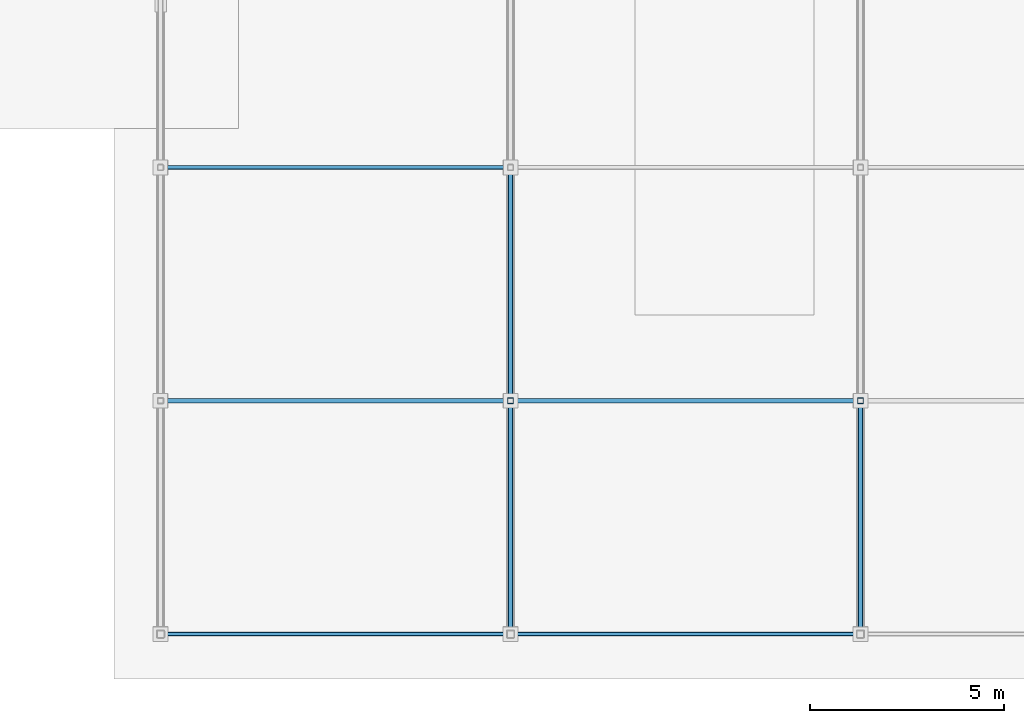
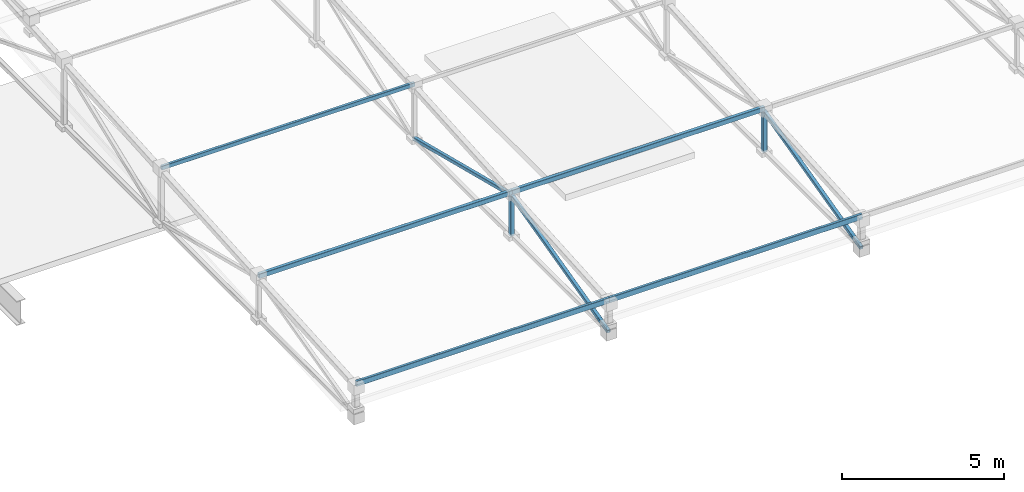
# One storey, part 17 of 85: 10 members.
"""IFC4 building model written with IfcOpenShell, lengths in metres."""

import ifcopenshell
import ifcopenshell.guid

model = None  # the IFC model being written
_history = None  # IfcOwnerHistory: only IFC2X3 demands one
_inside = {}  # id of a spatial element -> (the spatial element, [elements in it])
_under = {}  # id of a project, library or spatial element -> (it, [spatial elements below it])
_declared = {}  # id of a project -> (the project, [libraries it declares])
_typed = {}  # id of a type object -> (the type object, [elements of that type])
_made_of = {}  # id of a material, layer set ... -> (it, [elements and type objects made of it])


def new_model(schema):
    """Start an empty IFC model of exactly this schema.

    Asked for "IFC4X3", IfcOpenShell would pick the latest addendum, in which some entities
    have other attributes; the version numbers below select the first issue.
    IFC2X3 requires an IfcOwnerHistory on every rooted entity: one is made here for all.
    """
    global model, _history
    if schema == "IFC4X3":
        model = ifcopenshell.file(schema_version=(4, 3, 0, 0))
    else:
        model = ifcopenshell.file(schema=schema)
    _inside.clear()
    _under.clear()
    _declared.clear()
    _typed.clear()
    _made_of.clear()
    _history = None
    if model.schema == "IFC2X3":
        org = make("IfcOrganization", Name="unknown")
        user = make(
            "IfcPersonAndOrganization",
            ThePerson=make("IfcPerson", FamilyName="unknown"),
            TheOrganization=org,
        )
        app = make(
            "IfcApplication",
            ApplicationDeveloper=org,
            Version="unknown",
            ApplicationFullName="unknown",
            ApplicationIdentifier="unknown",
        )
        _history = make(
            "IfcOwnerHistory",
            OwningUser=user,
            OwningApplication=app,
            ChangeAction="ADDED",
            CreationDate=0,
        )
    return model


def make(cls, **values):
    """One entity of the class cls with the attributes given. An attribute that is None is left unset."""
    return model.create_entity(
        cls, **{name: value for name, value in values.items() if value is not None}
    )


def rooted(cls, **values):
    """An entity with a GlobalId (a new one), such as an element, a storey or a relation."""
    return make(cls, GlobalId=ifcopenshell.guid.new(), OwnerHistory=_history, **values)


def si_unit(unit_type, name, prefix=None):
    """IfcSIUnit, for example si_unit("LENGTHUNIT", "METRE", prefix="MILLI")."""
    return make("IfcSIUnit", UnitType=unit_type, Prefix=prefix, Name=name)


def assignment(units):
    """IfcUnitAssignment: the units of a project."""
    return None if units is None else make("IfcUnitAssignment", Units=units)


def point(xyz):
    """IfcCartesianPoint."""
    return None if xyz is None else make("IfcCartesianPoint", Coordinates=xyz)


def direction(xyz):
    """IfcDirection."""
    return None if xyz is None else make("IfcDirection", DirectionRatios=xyz)


def frame(location, z_axis=None, x_axis=None):
    """IfcAxis2Placement3D, a coordinate frame: its origin and axes. An axis left out is left unset."""
    return make(
        "IfcAxis2Placement3D",
        Location=point(location),
        Axis=direction(z_axis),
        RefDirection=direction(x_axis),
    )


def frame_2d(location, x_axis=None):
    """IfcAxis2Placement2D, a coordinate frame in the plane: its origin and x axis."""
    return make(
        "IfcAxis2Placement2D", Location=point(location), RefDirection=direction(x_axis)
    )


def origin():
    """The frame at (0, 0, 0) with its axes left unset."""
    return frame((0.0, 0.0, 0.0))


def origin_2d():
    """The frame at (0, 0) in the plane with its x axis left unset."""
    return frame_2d((0.0, 0.0))


def place(relative_to, where):
    """IfcLocalPlacement: puts the frame where relative to a parent placement (None: the world)."""
    return make(
        "IfcLocalPlacement", PlacementRelTo=relative_to, RelativePlacement=where
    )


def context(
    kind, dimensions, precision=None, world=None, true_north=None, identifier=None
):
    """IfcGeometricRepresentationContext, for example the 3D "Model" context."""
    return make(
        "IfcGeometricRepresentationContext",
        ContextIdentifier=identifier,
        ContextType=kind,
        CoordinateSpaceDimension=dimensions,
        Precision=precision,
        WorldCoordinateSystem=world,
        TrueNorth=true_north,
    )


def subcontext(parent, identifier, kind, view, scale=None):
    """IfcGeometricRepresentationSubContext, for example "Body" below "Model"."""
    return make(
        "IfcGeometricRepresentationSubContext",
        ContextIdentifier=identifier,
        ContextType=kind,
        ParentContext=parent,
        TargetScale=scale,
        TargetView=view,
    )


def project(units=None, contexts=None):
    """IfcProject with its units and contexts."""
    return rooted(
        "IfcProject",
        Name="project",
        RepresentationContexts=contexts,
        UnitsInContext=assignment(units),
    )


def spatial(cls, under=None, at=None, **own):
    """A site, building, storey or space (cls), placed at a placement, below another one or the project."""
    s = rooted(cls, ObjectPlacement=at, **own)
    if under is not None:
        _under.setdefault(under.id(), (under, []))[1].append(s)
    return s


def profile(cls, at=None, kind="AREA", **sizes):
    """A parametric profile (cls). Its sizes go by their IFC names, for example OverallWidth=200.0."""
    return make(cls, ProfileType=kind, Position=at, **sizes)


def hollow_rectangle(**sizes):
    """IfcRectangleHollowProfileDef."""
    return profile("IfcRectangleHollowProfileDef", **sizes)


def extrude(swept, where, along, depth):
    """IfcExtrudedAreaSolid: the profile swept, set in the frame where, extruded along a direction by depth."""
    return make(
        "IfcExtrudedAreaSolid",
        SweptArea=swept,
        Position=where,
        ExtrudedDirection=direction(along),
        Depth=depth,
    )


def shape(context_of_items, identifier, shape_type, items):
    """IfcShapeRepresentation: the items that make up one representation, for example the "Body"."""
    return make(
        "IfcShapeRepresentation",
        ContextOfItems=context_of_items,
        RepresentationIdentifier=identifier,
        RepresentationType=shape_type,
        Items=items,
    )


def material(Name=None, Category=None):
    """IfcMaterial."""
    return make("IfcMaterial", Name=Name, Category=Category)


def material_profile(
    of_material, cross_section, Name=None, Category=None, Priority=None
):
    """IfcMaterialProfile: a cross section and its material."""
    return make(
        "IfcMaterialProfile",
        Name=Name,
        Material=of_material,
        Profile=cross_section,
        Priority=Priority,
        Category=Category,
    )


def profile_set(profiles, Name=None, composite=None):
    """IfcMaterialProfileSet."""
    return make(
        "IfcMaterialProfileSet",
        Name=Name,
        MaterialProfiles=profiles,
        CompositeProfile=composite,
    )


def made_of(thing, what):
    """Note that an element or type object is made of a material, layer set ...; save() writes the relation."""
    if what is not None:
        _made_of.setdefault(what.id(), (what, []))[1].append(thing)
    return thing


def type_object(cls, material=None, **own):
    """A type object (cls), such as IfcWallType, which elements share."""
    return made_of(rooted(cls, **own), material)


def element(
    cls,
    number,
    at=None,
    inside=None,
    cuts=None,
    type_object=None,
    material=None,
    context=None,
    identifier="Body",
    shape_type=None,
    held_by="IfcProductDefinitionShape",
    body=None,
    shapes=None,
    **own,
):
    """One element of the class cls, such as IfcWall. Its Tag is "e" and its number.

    at: its placement. inside: the storey or other place that contains it. cuts: it is an
    opening in that element (IfcRelVoidsElement). A single representation is given by context,
    identifier, shape_type and body (its items); several are given by shapes. held_by: the class
    of the entity that holds the representations. save() writes the other relations.
    """
    e = rooted(cls, Tag="e%d" % number, ObjectPlacement=at, **own)
    if body is not None:
        shapes = [shape(context, identifier, shape_type, body)]
    if shapes is not None:
        e.Representation = make(held_by, Representations=shapes)
    if inside is not None:
        _inside.setdefault(inside.id(), (inside, []))[1].append(e)
    if cuts is not None:
        rooted(
            "IfcRelVoidsElement", RelatingBuildingElement=cuts, RelatedOpeningElement=e
        )
    if type_object is not None:
        _typed.setdefault(type_object.id(), (type_object, []))[1].append(e)
    return made_of(e, material)


def aggregate(whole, parts):
    """IfcRelAggregates: a whole, such as a stair, and the parts it consists of."""
    return rooted("IfcRelAggregates", RelatingObject=whole, RelatedObjects=parts)


def save(model, path):
    """Write the relations noted so far, then the file.

    IfcRelAggregates (storeys below a building ...), IfcRelContainedInSpatialStructure (elements
    in a storey), IfcRelDefinesByType, IfcRelAssociatesMaterial and IfcRelDeclares: one each for
    every whole, place, type object, material and project.
    """
    for whole, parts in _under.values():
        aggregate(whole, parts)
    for where, things in _inside.values():
        rooted(
            "IfcRelContainedInSpatialStructure",
            RelatedElements=things,
            RelatingStructure=where,
        )
    for kind, things in _typed.values():
        rooted("IfcRelDefinesByType", RelatedObjects=things, RelatingType=kind)
    for what, things in _made_of.values():
        rooted("IfcRelAssociatesMaterial", RelatedObjects=things, RelatingMaterial=what)
    for by, libraries in _declared.values():
        rooted("IfcRelDeclares", RelatingContext=by, RelatedDefinitions=libraries)
    model.write(path)


model = new_model("IFC4")

# Units and contexts
model_context = context("Model", 3, precision=1e-05, world=origin(), true_north=direction((0.0, 1.0)))
body_context = subcontext(model_context, "Body", "Model", "MODEL_VIEW")
ifc_project = project(units=[si_unit("LENGTHUNIT", "METRE"), si_unit("AREAUNIT", "SQUARE_METRE"), si_unit("VOLUMEUNIT", "CUBIC_METRE"), si_unit("PLANEANGLEUNIT", "RADIAN"), si_unit("MASSUNIT", "GRAM", prefix="KILO"), si_unit("THERMODYNAMICTEMPERATUREUNIT", "KELVIN"), si_unit("POWERUNIT", "WATT")], contexts=[model_context])

# Site, building, storey
site_placement = place(None, origin())
site = spatial("IfcSite", under=ifc_project, at=site_placement, CompositionType="ELEMENT")
building_placement = place(site_placement, origin())
building = spatial("IfcBuilding", under=site, at=building_placement, Name="Zelmaris Science Centre", CompositionType="ELEMENT")
storey_placement = place(building_placement, frame((0.0, 0.0, 20.39990234375)))
storey = spatial("IfcBuildingStorey", under=building, at=storey_placement, Name="L04", CompositionType="ELEMENT", Elevation=20.39990234375)

# Members
ifc_material = material(Name="Steel ASTM A500 Grade C", Category="steel")
ifc_material_profile_1 = material_profile(ifc_material, hollow_rectangle(XDim=0.1015625, YDim=0.203125, WallThickness=0.00732421875, InnerFilletRadius=0.00732421875, OuterFilletRadius=0.014892578125, at=origin_2d()), Name="HSS203X102X8")
ifc_profile_set_1 = profile_set([ifc_material_profile_1], Name="Steel ASTM A500 Grade C")
member_type_1 = type_object("IfcMemberType", Name="Roof Purlin PR-03 HSS203X102X8", PredefinedType="PURLIN", material=ifc_profile_set_1)
for number, where, z_axis, x_axis, name in (
    (1, (108.0, 8.0, 2.142822265625), (1.0, 0.0, 0.0), (0.0, 1.0, 0.0), "RF-V4 Roof purlin 1"),
    (2, (117.0, 8.0, 2.142822265625), (1.0, 0.0, 0.0), (0.0, 1.0, 0.0), "RF-V4 Roof purlin 9"),
):
    element("IfcMember", number, at=place(storey_placement, frame(where, z_axis=z_axis, x_axis=x_axis)), inside=storey, type_object=member_type_1, Name=name, PredefinedType="PURLIN", context=body_context, shape_type="SweptSolid", body=[
        extrude(hollow_rectangle(XDim=0.1015625, YDim=0.203125, WallThickness=0.00732421875, InnerFilletRadius=0.00732421875, OuterFilletRadius=0.014892578125, at=origin_2d()), origin(), (0.0, 0.0, 1.0), 9.0),
    ])
ifc_material_profile_2 = material_profile(ifc_material, hollow_rectangle(XDim=0.126953125, YDim=0.177734375, WallThickness=0.00732421875, InnerFilletRadius=0.00732421875, OuterFilletRadius=0.014892578125, at=origin_2d()), Name="HSS178X127X8")
ifc_profile_set_2 = profile_set([ifc_material_profile_2], Name="Steel ASTM A500 Grade C")
member_type_2 = type_object("IfcMemberType", Name="Roof Purlin PR-04 HSS178X127X8", PredefinedType="PURLIN", material=ifc_profile_set_2)
for number, where, z_axis, x_axis, name in (
    (3, (108.0, 14.0, 2.568115234375), (1.0, 0.0, 0.0), (0.0, 1.0, 0.0), "RF-V4 Roof purlin 2"),
    (4, (117.0, 14.0, 2.568115234375), (1.0, 0.0, 0.0), (0.0, 1.0, 0.0), "RF-V4 Roof purlin 10"),
):
    element("IfcMember", number, at=place(storey_placement, frame(where, z_axis=z_axis, x_axis=x_axis)), inside=storey, type_object=member_type_2, Name=name, PredefinedType="PURLIN", context=body_context, shape_type="SweptSolid", body=[
        extrude(hollow_rectangle(XDim=0.126953125, YDim=0.177734375, WallThickness=0.00732421875, InnerFilletRadius=0.00732421875, OuterFilletRadius=0.014892578125, at=origin_2d()), origin(), (0.0, 0.0, 1.0), 9.0),
    ])
ifc_material_profile_3 = material_profile(ifc_material, hollow_rectangle(XDim=0.1015625, YDim=0.15234375, WallThickness=0.005859375, InnerFilletRadius=0.005859375, OuterFilletRadius=0.01171875, at=origin_2d()), Name="HSS152X102X6")
ifc_profile_set_3 = profile_set([ifc_material_profile_3], Name="Steel ASTM A500 Grade C")
member_type_3 = type_object("IfcMemberType", Name="Roof Purlin PR-05 HSS152X102X6", PredefinedType="PURLIN", material=ifc_profile_set_3)
member_placement = place(storey_placement, frame((108.0, 20.0, 2.993408203125), z_axis=(1.0, 0.0, 0.0), x_axis=(0.0, 1.0, 0.0)))
element("IfcMember", 5, at=member_placement, inside=storey, type_object=member_type_3, Name="RF-V4 Roof purlin 3", PredefinedType="PURLIN", context=body_context, shape_type="SweptSolid", body=[
    extrude(hollow_rectangle(XDim=0.1015625, YDim=0.15234375, WallThickness=0.005859375, InnerFilletRadius=0.005859375, OuterFilletRadius=0.01171875, at=origin_2d()), origin(), (0.0, 0.0, 1.0), 9.0),
])
ifc_material_profile_4 = material_profile(ifc_material, hollow_rectangle(XDim=0.15234375, YDim=0.15234375, WallThickness=0.0087890625, InnerFilletRadius=0.0087890625, OuterFilletRadius=0.017822265625, at=origin_2d()), Name="HSS152X152X10")
ifc_profile_set_4 = profile_set([ifc_material_profile_4], Name="Steel ASTM A500 Grade C")
member_type_4 = type_object("IfcMemberType", Name="Structural Brace BR-03 HSS152X152X10", PredefinedType="BRACE", material=ifc_profile_set_4)
for number, where, z_axis, x_axis, name in (
    (6, (117.0, 14.0, 0.947998046875), (0.0, 0.0, 1.0), (1.0, 0.0, 0.0), "RF-V4 Roof truss 2 vertical web 1"),
    (7, (126.0, 14.0, 0.947998046875), (0.0, 0.0, 1.0), (1.0, 0.0, 0.0), "RF-V4 Roof truss 3 vertical web 1"),
):
    element("IfcMember", number, at=place(storey_placement, frame(where, z_axis=z_axis, x_axis=x_axis)), inside=storey, type_object=member_type_4, Name=name, PredefinedType="BRACE", context=body_context, shape_type="SweptSolid", body=[
        extrude(hollow_rectangle(XDim=0.15234375, YDim=0.15234375, WallThickness=0.0087890625, InnerFilletRadius=0.0087890625, OuterFilletRadius=0.017822265625, at=origin_2d()), origin(), (0.0, 0.0, 1.0), 1.512451171875),
    ])
ifc_material_profile_5 = material_profile(ifc_material, hollow_rectangle(XDim=0.126953125, YDim=0.126953125, WallThickness=0.00732421875, InnerFilletRadius=0.00732421875, OuterFilletRadius=0.014892578125, at=origin_2d()), Name="HSS127X127X8")
ifc_profile_set_5 = profile_set([ifc_material_profile_5], Name="Steel ASTM A500 Grade C")
member_type_5 = type_object("IfcMemberType", Name="Structural Brace BR-04 HSS127X127X8", PredefinedType="BRACE", material=ifc_profile_set_5)
for number, where, z_axis, x_axis, name in (
    (8, (117.0, 8.0, 0.947998046875), (0.0, 0.969667181253, 0.244429044102), (-1.0, 0.0, 0.0), "RF-V4 Roof truss 2 web diagonal 1"),
    (9, (117.0, 14.0, 2.46044921875), (0.0, 0.969667181253, -0.244429044102), (-1.0, 0.0, 0.0), "RF-V4 Roof truss 2 web diagonal 2"),
    (10, (126.0, 8.0, 0.947998046875), (0.0, 0.969667181253, 0.244429044102), (-1.0, 0.0, 0.0), "RF-V4 Roof truss 3 web diagonal 1"),
):
    element("IfcMember", number, at=place(storey_placement, frame(where, z_axis=z_axis, x_axis=x_axis)), inside=storey, type_object=member_type_5, Name=name, PredefinedType="BRACE", context=body_context, shape_type="SweptSolid", body=[
        extrude(hollow_rectangle(XDim=0.126953125, YDim=0.126953125, WallThickness=0.00732421875, InnerFilletRadius=0.00732421875, OuterFilletRadius=0.014892578125, at=origin_2d()), origin(), (0.0, 0.0, 1.0), 6.187744140625),
    ])

save(model, "model.ifc")
